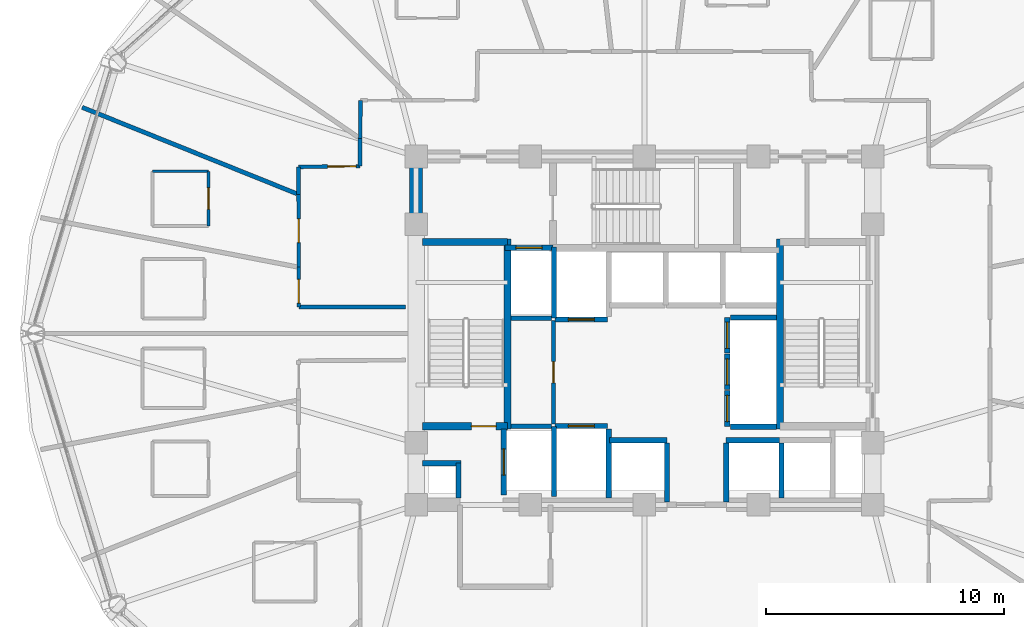
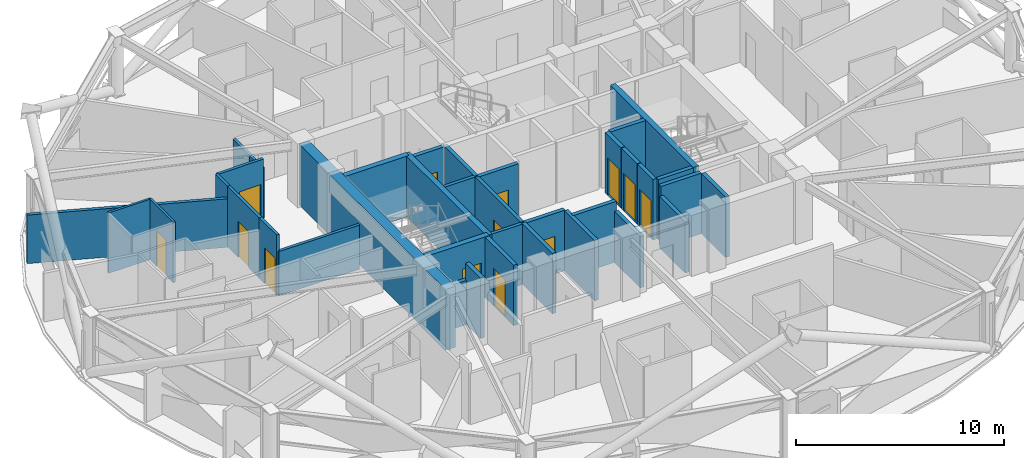
# One storey, part 25 of 32: 37 walls, 13 doors, 13 openings.
"""IFC4 building model written with IfcOpenShell, lengths in metres."""

from ifc_helpers import new_model, si_unit, direction, frame, frame_2d, origin, place, context, subcontext, project, spatial, rectangle, extrude, material, layer, layer_set, type_object, element, fill, save


model = new_model("IFC4")

# Units and contexts
model_context = context("Model", 3, precision=1e-05, world=origin(), true_north=direction((0.0, 1.0)))
body_context = subcontext(model_context, "Body", "Model", "MODEL_VIEW")
ifc_project = project(units=[si_unit("LENGTHUNIT", "METRE"), si_unit("AREAUNIT", "SQUARE_METRE"), si_unit("VOLUMEUNIT", "CUBIC_METRE"), si_unit("PLANEANGLEUNIT", "RADIAN"), si_unit("MASSUNIT", "GRAM", prefix="KILO")], contexts=[model_context])

# Site, building, storey
site_placement = place(None, origin())
site = spatial("IfcSite", under=ifc_project, at=site_placement, CompositionType="ELEMENT")
building_placement = place(site_placement, origin())
building = spatial("IfcBuilding", under=site, at=building_placement, Name="Vantalir Tower", CompositionType="ELEMENT")
storey_placement = place(building_placement, frame((0.0, 0.0, 104.699951171875)))
storey = spatial("IfcBuildingStorey", under=building, at=storey_placement, Name="L25", CompositionType="ELEMENT", Elevation=104.699951171875)

# Wall
ifc_material_1 = material(Name="Moisture-resistant en-suite partition", Category="gypsum")
ifc_layer_1 = layer(ifc_material_1, 0.125)
ifc_layer_set_1 = layer_set([ifc_layer_1], Name="Moisture-resistant en-suite partition")
wall_type_1 = type_object("IfcWallType", Name="WL-BATH-125", PredefinedType="PARTITIONING", material=ifc_layer_set_1)
wall_1_placement = place(storey_placement, frame((10.81396484375, 31.8291015625, 0.0), z_axis=(0.0, 0.0, 1.0), x_axis=(1.0, 0.0, 0.0)))
element("IfcWall", 1, at=wall_1_placement, inside=storey, type_object=wall_type_1, Name="L25 En-suite 09 North Wall", PredefinedType="PARTITIONING", context=body_context, shape_type="SweptSolid", body=[
    extrude(rectangle(XDim=2.35009765625, YDim=0.125, at=frame_2d((1.175048828125, 0.0))), origin(), (0.0, 0.0, 1.0), 3.550048828125),
])

# Wall, opening, door
wall_2_placement = place(storey_placement, frame((13.1640625, 29.529052734375, 0.0), z_axis=(0.0, 0.0, 1.0), x_axis=(0.0, 1.0, 0.0)))
wall_2 = element("IfcWall", 2, at=wall_2_placement, inside=storey, type_object=wall_type_1, Name="L25 En-suite 09 East Wall", PredefinedType="PARTITIONING", context=body_context, shape_type="SweptSolid", body=[
    extrude(rectangle(XDim=2.300048828125, YDim=0.125, at=frame_2d((1.14990234375, 0.0))), origin(), (0.0, 0.0, 1.0), 3.550048828125),
])
opening_1_placement = place(wall_2_placement, frame((0.699951171875, 0.0, 0.0)))
opening_1 = element("IfcOpeningElement", 3, at=opening_1_placement, cuts=wall_2, Name="Opening D-WC", PredefinedType="OPENING", context=body_context, shape_type="SweptSolid", body=[
    extrude(rectangle(XDim=0.89990234375, YDim=2.10009765625, at=frame_2d((0.449951171875, 1.050048828125))), frame((0.0, 0.072509765625, 0.0), z_axis=(0.0, -1.0, 0.0), x_axis=(1.0, 0.0, 0.0)), (0.0, 0.0, 1.0), 0.14501953125),
])
ifc_material_2 = material(Name="Moisture-resistant hardwood door", Category="wood")
door_type_1 = type_object("IfcDoorType", Name="DR-ENSUITE-900", OperationType="NOTDEFINED", PredefinedType="DOOR", material=ifc_material_2)
door_1_placement = place(opening_1_placement, origin())
door_1 = element("IfcDoor", 4, at=door_1_placement, inside=storey, type_object=door_type_1, Name="L25 En-suite 09 Door", OperationType="SINGLE_SWING_LEFT", OverallHeight=2.10009765625, OverallWidth=0.89990234375, PredefinedType="DOOR", context=body_context, shape_type="SweptSolid", body=[
    extrude(rectangle(XDim=0.89990234375, YDim=2.10009765625, at=frame_2d((0.449951171875, 1.050048828125))), frame((0.0, 0.02490234375, 0.0), z_axis=(0.0, -1.0, 0.0), x_axis=(1.0, 0.0, 0.0)), (0.0, 0.0, 1.0), 0.050048828125),
])
fill(opening_1, door_1)

# Walls
ifc_material_3 = material(Name="Concrete C60/75", Category="concrete")
ifc_layer_2 = layer(ifc_material_3, 0.550048828125)
ifc_layer_set_2 = layer_set([ifc_layer_2], Name="Concrete C60/75")
wall_type_2 = type_object("IfcWallType", Name="WL-CORE-550", PredefinedType="SHEAR", material=ifc_layer_set_2)
wall_3_placement = place(storey_placement, frame((21.89990234375, 18.074951171875, 0.0), z_axis=(0.0, 0.0, 1.0), x_axis=(0.0, 1.0, 0.0)))
element("IfcWall", 5, at=wall_3_placement, inside=storey, type_object=wall_type_2, Name="L25 Core Shear Wall West", PredefinedType="SHEAR", context=body_context, shape_type="SweptSolid", body=[
    extrude(rectangle(XDim=14.10009765625, YDim=0.550048828125, at=frame_2d((7.050048828125, 0.0))), origin(), (0.0, 0.0, 1.0), 3.570068359375),
])
ifc_material_4 = material(Name="Fire-rated hotel corridor acoustic partition", Category="gypsum")
ifc_layer_3 = layer(ifc_material_4, 0.159912109375)
ifc_layer_set_3 = layer_set([ifc_layer_3], Name="Fire-rated hotel corridor acoustic partition")
wall_type_3 = type_object("IfcWallType", Name="WL-CORR-160", PredefinedType="PARTITIONING", material=ifc_layer_set_3)
wall_4_placement = place(storey_placement, frame((21.445068359375, 26.114990234375, 0.0), z_axis=(0.0, 0.0, 1.0), x_axis=(-0.999997504977, 0.00223383991, 0.0)))
element("IfcWall", 6, at=wall_4_placement, inside=storey, type_object=wall_type_3, Name="L25 Corridor Partition 01", PredefinedType="PARTITIONING", context=body_context, shape_type="SweptSolid", body=[
    extrude(rectangle(XDim=4.48095703125, YDim=0.159912109375, at=frame_2d((2.240478515625, 0.0))), origin(), (0.0, 0.0, 1.0), 2.594970703125),
])

# Wall, opening, door
wall_5_placement = place(storey_placement, frame((16.964111328125, 26.125, 0.0), z_axis=(0.0, 0.0, 1.0), x_axis=(-0.001317329068, 0.999999132322, 0.0)))
wall_5 = element("IfcWall", 7, at=wall_5_placement, inside=storey, type_object=wall_type_3, Name="L25 Corridor Partition 02", PredefinedType="PARTITIONING", context=body_context, shape_type="SweptSolid", body=[
    extrude(rectangle(XDim=1.66796875, YDim=0.159912109375, at=frame_2d((0.833984375, 0.0))), origin(), (0.0, 0.0, 1.0), 3.550048828125),
])
opening_2_placement = place(wall_5_placement, frame((0.159912109375, 0.0, 0.0)))
opening_2 = element("IfcOpeningElement", 8, at=opening_2_placement, cuts=wall_5, Name="Opening D-GUEST", PredefinedType="OPENING", context=body_context, shape_type="SweptSolid", body=[
    extrude(rectangle(XDim=1.0, YDim=2.10009765625, at=frame_2d((0.5, 1.050048828125))), frame((0.0, 0.08984375, 0.0), z_axis=(0.0, -1.0, 0.0), x_axis=(1.0, 0.0, 0.0)), (0.0, 0.0, 1.0), 0.179931640625),
])
ifc_material_5 = material(Name="Solid-core teak veneer acoustic fire door", Category="wood")
door_type_2 = type_object("IfcDoorType", Name="DR-GUEST-ENTRY-1000", OperationType="NOTDEFINED", PredefinedType="DOOR", material=ifc_material_5)
door_2_placement = place(opening_2_placement, origin())
door_2 = element("IfcDoor", 9, at=door_2_placement, inside=storey, type_object=door_type_2, Name="L25 Deluxe King Hotel Room 10 Door", OperationType="SINGLE_SWING_RIGHT", OverallHeight=2.10009765625, OverallWidth=1.0, PredefinedType="DOOR", context=body_context, shape_type="SweptSolid", body=[
    extrude(rectangle(XDim=1.0, YDim=2.10009765625, at=frame_2d((0.5, 1.050048828125))), frame((0.0, 0.02490234375, 0.0), z_axis=(0.0, -1.0, 0.0), x_axis=(1.0, 0.0, 0.0)), (0.0, 0.0, 1.0), 0.050048828125),
])
fill(opening_2, door_2)

wall_6_placement = place(storey_placement, frame((16.9619140625, 27.79296875, 0.0), z_axis=(0.0, 0.0, 1.0), x_axis=(-0.001276934314, 0.999999184719, 0.0)))
wall_6 = element("IfcWall", 10, at=wall_6_placement, inside=storey, type_object=wall_type_3, Name="L25 Corridor Partition 03", PredefinedType="PARTITIONING", context=body_context, shape_type="SweptSolid", body=[
    extrude(rectangle(XDim=3.05908203125, YDim=0.159912109375, at=frame_2d((1.529541015625, 0.0))), origin(), (0.0, 0.0, 1.0), 3.550048828125),
])
opening_3_placement = place(wall_6_placement, frame((1.030029296875, 0.0, 0.0)))
opening_3 = element("IfcOpeningElement", 11, at=opening_3_placement, cuts=wall_6, Name="Opening D-GUEST", PredefinedType="OPENING", context=body_context, shape_type="SweptSolid", body=[
    extrude(rectangle(XDim=1.0, YDim=2.10009765625, at=frame_2d((0.5, 1.050048828125))), frame((0.0, 0.08984375, 0.0), z_axis=(0.0, -1.0, 0.0), x_axis=(1.0, 0.0, 0.0)), (0.0, 0.0, 1.0), 0.179931640625),
])
door_3_placement = place(opening_3_placement, origin())
door_3 = element("IfcDoor", 12, at=door_3_placement, inside=storey, type_object=door_type_2, Name="L25 Twin Queen Hotel Room 09 Door", OperationType="SINGLE_SWING_LEFT", OverallHeight=2.10009765625, OverallWidth=1.0, PredefinedType="DOOR", context=body_context, shape_type="SweptSolid", body=[
    extrude(rectangle(XDim=1.0, YDim=2.10009765625, at=frame_2d((0.5, 1.050048828125))), frame((0.0, 0.02490234375, 0.0), z_axis=(0.0, -1.0, 0.0), x_axis=(1.0, 0.0, 0.0)), (0.0, 0.0, 1.0), 0.050048828125),
])
fill(opening_3, door_3)

# Wall
wall_7_placement = place(storey_placement, frame((16.9580078125, 30.85205078125, 0.0), z_axis=(0.0, 0.0, 1.0), x_axis=(-0.000841927717, 0.999999645579, 0.0)))
element("IfcWall", 13, at=wall_7_placement, inside=storey, type_object=wall_type_3, Name="L25 Corridor Partition 04", PredefinedType="PARTITIONING", context=body_context, shape_type="SweptSolid", body=[
    extrude(rectangle(XDim=1.159912109375, YDim=0.159912109375, at=frame_2d((0.580078125, 0.0))), origin(), (0.0, 0.0, 1.0), 3.550048828125),
])

# Wall, opening, door
wall_8_placement = place(storey_placement, frame((16.95703125, 32.011962890625, 0.0), z_axis=(0.0, 0.0, 1.0), x_axis=(0.999940696344, 0.01089053699, 0.0)))
wall_8 = element("IfcWall", 14, at=wall_8_placement, inside=storey, type_object=wall_type_3, Name="L25 Corridor Partition 05", PredefinedType="PARTITIONING", context=body_context, shape_type="SweptSolid", body=[
    extrude(rectangle(XDim=2.578125, YDim=0.159912109375, at=frame_2d((1.2890625, 0.0))), origin(), (0.0, 0.0, 1.0), 3.550048828125),
])
opening_4_placement = place(wall_8_placement, frame((1.218017578125, 0.0, 0.0)))
opening_4 = element("IfcOpeningElement", 15, at=opening_4_placement, cuts=wall_8, Name="Opening D-STE", PredefinedType="OPENING", context=body_context, shape_type="SweptSolid", body=[
    extrude(rectangle(XDim=1.199951171875, YDim=2.10009765625, at=frame_2d((0.60009765625, 1.050048828125))), frame((0.0, 0.08984375, 0.0), z_axis=(0.0, -1.0, 0.0), x_axis=(1.0, 0.0, 0.0)), (0.0, 0.0, 1.0), 0.179931640625),
])
ifc_material_6 = material(Name="Solid-core teak veneer suite entrance door", Category="wood")
door_type_3 = type_object("IfcDoorType", Name="DR-SUITE-ENTRY-1200", OperationType="NOTDEFINED", PredefinedType="DOOR", material=ifc_material_6)
door_4_placement = place(opening_4_placement, origin())
door_4 = element("IfcDoor", 16, at=door_4_placement, inside=storey, type_object=door_type_3, Name="L25 Club Reading Lounge 08 Door", OperationType="SINGLE_SWING_RIGHT", OverallHeight=2.10009765625, OverallWidth=1.199951171875, PredefinedType="DOOR", context=body_context, shape_type="SweptSolid", body=[
    extrude(rectangle(XDim=1.199951171875, YDim=2.10009765625, at=frame_2d((0.60009765625, 1.050048828125))), frame((0.0, 0.02490234375, 0.0), z_axis=(0.0, -1.0, 0.0), x_axis=(1.0, 0.0, 0.0)), (0.0, 0.0, 1.0), 0.050048828125),
])
fill(opening_4, door_4)

# Walls
wall_9_placement = place(storey_placement, frame((19.534912109375, 32.0400390625, 0.0), z_axis=(0.0, 0.0, 1.0), x_axis=(0.0086149356, 0.999962890754, 0.0)))
element("IfcWall", 17, at=wall_9_placement, inside=storey, type_object=wall_type_3, Name="L25 Corridor Partition 06", PredefinedType="PARTITIONING", context=body_context, shape_type="SweptSolid", body=[
    extrude(rectangle(XDim=1.161865234375, YDim=0.159912109375, at=frame_2d((0.5810546875, 0.0))), origin(), (0.0, 0.0, 1.0), 3.006103515625),
])
wall_10_placement = place(storey_placement, frame((19.544921875, 33.201904296875, 0.0), z_axis=(0.0, 0.0, 1.0), x_axis=(0.009400646005, 0.999955812951, 0.0)))
element("IfcWall", 18, at=wall_10_placement, inside=storey, type_object=wall_type_3, Name="L25 Corridor Partition 07", PredefinedType="PARTITIONING", context=body_context, shape_type="SweptSolid", body=[
    extrude(rectangle(XDim=1.610107421875, YDim=0.159912109375, at=frame_2d((0.80517578125, 0.0))), origin(), (0.0, 0.0, 1.0), 3.006103515625),
])
ifc_material_7 = material(Name="Concrete blockwork with fireboard lining", Category="masonry")
ifc_layer_4 = layer(ifc_material_7, 0.219970703125)
ifc_layer_set_4 = layer_set([ifc_layer_4], Name="Concrete blockwork with fireboard lining")
wall_type_4 = type_object("IfcWallType", Name="WL-FFL-220", PredefinedType="PARTITIONING", material=ifc_layer_set_4)
wall_11_placement = place(storey_placement, frame((30.0, 18.080078125, 0.0), z_axis=(0.0, 0.0, 1.0), x_axis=(0.0, 1.0, 0.0)))
element("IfcWall", 19, at=wall_11_placement, inside=storey, type_object=wall_type_4, Name="L25 Service Lift SV1 East Shaft Wall", PredefinedType="PARTITIONING", context=body_context, shape_type="SweptSolid", body=[
    extrude(rectangle(XDim=2.89990234375, YDim=0.219970703125, at=frame_2d((1.449951171875, 0.0))), origin(), (0.0, 0.0, 1.0), 3.545166015625),
])
for number, where, z_axis, x_axis, name in (
    (20, (32.449951171875, 17.919921875, 0.0), (0.0, 0.0, 1.0), (0.0, 1.0, 0.0), "L25 Shuttle Lift PL-X1 East Shaft Cheek"),
    (21, (34.949951171875, 17.919921875, 0.0), (0.0, 0.0, 1.0), (0.0, 1.0, 0.0), "L25 Shuttle Lift PL-X3 West Shaft Cheek"),
):
    element("IfcWall", number, at=place(storey_placement, frame(where, z_axis=z_axis, x_axis=x_axis)), inside=storey, type_object=wall_type_4, Name=name, PredefinedType="PARTITIONING", context=body_context, shape_type="SweptSolid", body=[
        extrude(rectangle(XDim=2.469970703125, YDim=0.219970703125, at=frame_2d((1.23486328125, 0.0))), origin(), (0.0, 0.0, 1.0), 3.006103515625),
    ])
wall_12_placement = place(storey_placement, frame((37.27490234375, 18.080078125, 0.0), z_axis=(0.0, 0.0, 1.0), x_axis=(0.0, 1.0, 0.0)))
element("IfcWall", 22, at=wall_12_placement, inside=storey, type_object=wall_type_4, Name="L25 Shuttle Lift PL-X2/X3 Shaft Divider", PredefinedType="PARTITIONING", context=body_context, shape_type="SweptSolid", body=[
    extrude(rectangle(XDim=2.309814453125, YDim=0.219970703125, at=frame_2d((1.15478515625, 0.0))), origin(), (0.0, 0.0, 1.0), 3.545166015625),
])
wall_13_placement = place(storey_placement, frame((23.679931640625, 18.074951171875, 0.0), z_axis=(0.0, 0.0, 1.0), x_axis=(0.0, 1.0, 0.0)))
element("IfcWall", 23, at=wall_13_placement, inside=storey, type_object=wall_type_4, Name="L25 West MEP Riser Wall E", PredefinedType="PARTITIONING", context=body_context, shape_type="SweptSolid", body=[
    extrude(rectangle(XDim=1.47509765625, YDim=0.219970703125, at=frame_2d((0.737548828125, 0.0))), origin(), (0.0, 0.0, 1.0), 3.550048828125),
])
wall_14_placement = place(storey_placement, frame((22.175048828125, 19.550048828125, 0.0), z_axis=(0.0, 0.0, 1.0), x_axis=(1.0, 0.0, 0.0)))
element("IfcWall", 24, at=wall_14_placement, inside=storey, type_object=wall_type_4, Name="L25 West MEP Riser Wall N", PredefinedType="PARTITIONING", context=body_context, shape_type="SweptSolid", body=[
    extrude(rectangle(XDim=1.614990234375, YDim=0.219970703125, at=frame_2d((0.8076171875, 0.0))), origin(), (0.0, 0.0, 1.0), 2.594970703125),
])

# Wall, opening, door
wall_15_placement = place(storey_placement, frame((25.590087890625, 18.219970703125, 0.0), z_axis=(0.0, 0.0, 1.0), x_axis=(0.0, 1.0, 0.0)))
wall_15 = element("IfcWall", 25, at=wall_15_placement, inside=storey, type_object=wall_type_4, Name="L25 Lift FL1 Shaft Front Wall", PredefinedType="PARTITIONING", context=body_context, shape_type="SweptSolid", body=[
    extrude(rectangle(XDim=2.760009765625, YDim=0.219970703125, at=frame_2d((1.3798828125, 0.0))), origin(), (0.0, 0.0, 1.0), 3.550048828125),
])
opening_5_placement = place(wall_15_placement, frame((0.830078125, 0.0, 0.0)))
opening_5 = element("IfcOpeningElement", 26, at=opening_5_placement, cuts=wall_15, Name="Opening LD-FL1", PredefinedType="OPENING", context=body_context, shape_type="SweptSolid", body=[
    extrude(rectangle(XDim=1.10009765625, YDim=2.199951171875, at=frame_2d((0.550048828125, 1.10009765625))), frame((0.0, 0.119873046875, 0.0), z_axis=(0.0, -1.0, 0.0), x_axis=(1.0, 0.0, 0.0)), (0.0, 0.0, 1.0), 0.239990234375),
])
ifc_material_8 = material(Name="Brushed stainless-steel sliding lift landing door", Category="steel")
door_type_4 = type_object("IfcDoorType", Name="DR-LIFT-LANDING-1100", OperationType="DOUBLE_DOOR_SLIDING", PredefinedType="DOOR", material=ifc_material_8)
door_5_placement = place(opening_5_placement, origin())
door_5 = element("IfcDoor", 27, at=door_5_placement, inside=storey, type_object=door_type_4, Name="L25 Lift Landing Door FL1", OperationType="DOUBLE_DOOR_SLIDING", OverallHeight=2.199951171875, OverallWidth=1.10009765625, PredefinedType="DOOR", context=body_context, shape_type="SweptSolid", body=[
    extrude(rectangle(XDim=1.10009765625, YDim=2.199951171875, at=frame_2d((0.550048828125, 1.10009765625))), frame((0.0, 0.02490234375, 0.0), z_axis=(0.0, -1.0, 0.0), x_axis=(1.0, 0.0, 0.0)), (0.0, 0.0, 1.0), 0.050048828125),
])
fill(opening_5, door_5)

wall_16_placement = place(storey_placement, frame((25.639892578125, 28.610107421875, 0.0), z_axis=(0.0, 0.0, 1.0), x_axis=(1.0, 0.0, 0.0)))
wall_16 = element("IfcWall", 28, at=wall_16_placement, inside=storey, type_object=wall_type_4, Name="L25 Lift FL2 Shaft Front Wall", PredefinedType="PARTITIONING", context=body_context, shape_type="SweptSolid", body=[
    extrude(rectangle(XDim=2.02001953125, YDim=0.219970703125, at=frame_2d((1.010009765625, 0.0))), origin(), (0.0, 0.0, 1.0), 3.550048828125),
])
opening_6_placement = place(wall_16_placement, frame((0.4599609375, 0.0, 0.0)))
opening_6 = element("IfcOpeningElement", 29, at=opening_6_placement, cuts=wall_16, Name="Opening LD-FL2", PredefinedType="OPENING", context=body_context, shape_type="SweptSolid", body=[
    extrude(rectangle(XDim=1.10009765625, YDim=2.199951171875, at=frame_2d((0.550048828125, 1.10009765625))), frame((0.0, 0.119873046875, 0.0), z_axis=(0.0, -1.0, 0.0), x_axis=(1.0, 0.0, 0.0)), (0.0, 0.0, 1.0), 0.239990234375),
])
door_6_placement = place(opening_6_placement, origin())
door_6 = element("IfcDoor", 30, at=door_6_placement, inside=storey, type_object=door_type_4, Name="L25 Lift Landing Door FL2", OperationType="DOUBLE_DOOR_SLIDING", OverallHeight=2.199951171875, OverallWidth=1.10009765625, PredefinedType="DOOR", context=body_context, shape_type="SweptSolid", body=[
    extrude(rectangle(XDim=1.10009765625, YDim=2.199951171875, at=frame_2d((0.550048828125, 1.10009765625))), frame((0.0, 0.02490234375, 0.0), z_axis=(0.0, -1.0, 0.0), x_axis=(1.0, 0.0, 0.0)), (0.0, 0.0, 1.0), 0.050048828125),
])
fill(opening_6, door_6)

wall_17_placement = place(storey_placement, frame((27.739990234375, 21.110107421875, 0.0), z_axis=(0.0, 0.0, 1.0), x_axis=(1.0, 0.0, 0.0)))
wall_17 = element("IfcWall", 31, at=wall_17_placement, inside=storey, type_object=wall_type_4, Name="L25 Lift SV1 Shaft Front Wall", PredefinedType="PARTITIONING", context=body_context, shape_type="SweptSolid", body=[
    extrude(rectangle(XDim=2.219970703125, YDim=0.219970703125, at=frame_2d((1.10986328125, 0.0))), origin(), (0.0, 0.0, 1.0), 3.550048828125),
])
opening_7_placement = place(wall_17_placement, frame((0.56005859375, 0.0, 0.0)))
opening_7 = element("IfcOpeningElement", 32, at=opening_7_placement, cuts=wall_17, Name="Opening LD-SV1", PredefinedType="OPENING", context=body_context, shape_type="SweptSolid", body=[
    extrude(rectangle(XDim=1.10009765625, YDim=2.199951171875, at=frame_2d((0.550048828125, 1.10009765625))), frame((0.0, 0.119873046875, 0.0), z_axis=(0.0, -1.0, 0.0), x_axis=(1.0, 0.0, 0.0)), (0.0, 0.0, 1.0), 0.239990234375),
])
door_7_placement = place(opening_7_placement, origin())
door_7 = element("IfcDoor", 33, at=door_7_placement, inside=storey, type_object=door_type_4, Name="L25 Lift Landing Door SV1", OperationType="DOUBLE_DOOR_SLIDING", OverallHeight=2.199951171875, OverallWidth=1.10009765625, PredefinedType="DOOR", context=body_context, shape_type="SweptSolid", body=[
    extrude(rectangle(XDim=1.10009765625, YDim=2.199951171875, at=frame_2d((0.550048828125, 1.10009765625))), frame((0.0, 0.02490234375, 0.0), z_axis=(0.0, -1.0, 0.0), x_axis=(1.0, 0.0, 0.0)), (0.0, 0.0, 1.0), 0.050048828125),
])
fill(opening_7, door_7)

wall_18_placement = place(storey_placement, frame((27.739990234375, 25.590087890625, 0.0), z_axis=(0.0, 0.0, 1.0), x_axis=(1.0, 0.0, 0.0)))
wall_18 = element("IfcWall", 34, at=wall_18_placement, inside=storey, type_object=wall_type_4, Name="L25 Lift SV2 Shaft Front Wall", PredefinedType="PARTITIONING", context=body_context, shape_type="SweptSolid", body=[
    extrude(rectangle(XDim=2.219970703125, YDim=0.219970703125, at=frame_2d((1.10986328125, 0.0))), origin(), (0.0, 0.0, 1.0), 3.550048828125),
])
opening_8_placement = place(wall_18_placement, frame((0.56005859375, 0.0, 0.0)))
opening_8 = element("IfcOpeningElement", 35, at=opening_8_placement, cuts=wall_18, Name="Opening LD-SV2", PredefinedType="OPENING", context=body_context, shape_type="SweptSolid", body=[
    extrude(rectangle(XDim=1.10009765625, YDim=2.199951171875, at=frame_2d((0.550048828125, 1.10009765625))), frame((0.0, 0.119873046875, 0.0), z_axis=(0.0, -1.0, 0.0), x_axis=(1.0, 0.0, 0.0)), (0.0, 0.0, 1.0), 0.239990234375),
])
door_8_placement = place(opening_8_placement, frame((1.10009765625, 0.0, 0.0), z_axis=(0.0, 0.0, 1.0), x_axis=(-1.0, 0.0, 0.0)))
door_8 = element("IfcDoor", 36, at=door_8_placement, inside=storey, type_object=door_type_4, Name="L25 Lift Landing Door SV2", OperationType="DOUBLE_DOOR_SLIDING", OverallHeight=2.199951171875, OverallWidth=1.10009765625, PredefinedType="DOOR", context=body_context, shape_type="SweptSolid", body=[
    extrude(rectangle(XDim=1.10009765625, YDim=2.199951171875, at=frame_2d((0.550048828125, 1.10009765625))), frame((0.0, 0.02490234375, 0.0), z_axis=(0.0, -1.0, 0.0), x_axis=(1.0, 0.0, 0.0)), (0.0, 0.0, 1.0), 0.050048828125),
])
fill(opening_8, door_8)

# Walls
wall_19_placement = place(storey_placement, frame((30.0400390625, 20.510009765625, 0.0), z_axis=(0.0, 0.0, 1.0), x_axis=(1.0, 0.0, 0.0)))
element("IfcWall", 37, at=wall_19_placement, inside=storey, type_object=wall_type_4, Name="L25 Lift PL-X1 Shaft Front Wall", PredefinedType="PARTITIONING", context=body_context, shape_type="SweptSolid", body=[
    extrude(rectangle(XDim=2.419921875, YDim=0.219970703125, at=frame_2d((1.2099609375, 0.0))), origin(), (0.0, 0.0, 1.0), 3.550048828125),
])
wall_20_placement = place(storey_placement, frame((34.93994140625, 20.510009765625, 0.0), z_axis=(0.0, 0.0, 1.0), x_axis=(1.0, 0.0, 0.0)))
element("IfcWall", 38, at=wall_20_placement, inside=storey, type_object=wall_type_4, Name="L25 Lift PL-X3 Shaft Front Wall", PredefinedType="PARTITIONING", context=body_context, shape_type="SweptSolid", body=[
    extrude(rectangle(XDim=2.239990234375, YDim=0.219970703125, at=frame_2d((1.1201171875, 0.0))), origin(), (0.0, 0.0, 1.0), 3.550048828125),
])

# Wall, opening, door
wall_21_placement = place(storey_placement, frame((34.989990234375, 21.10009765625, 0.0), z_axis=(0.0, 0.0, 1.0), x_axis=(0.0, 1.0, 0.0)))
wall_21 = element("IfcWall", 39, at=wall_21_placement, inside=storey, type_object=wall_type_4, Name="L25 Lift PL-M1 Shaft Front Wall", PredefinedType="PARTITIONING", context=body_context, shape_type="SweptSolid", body=[
    extrude(rectangle(XDim=1.5, YDim=0.219970703125, at=frame_2d((0.75, 0.0))), origin(), (0.0, 0.0, 1.0), 3.550048828125),
])
opening_9_placement = place(wall_21_placement, frame((0.199951171875, 0.0, 0.0)))
opening_9 = element("IfcOpeningElement", 40, at=opening_9_placement, cuts=wall_21, Name="Opening LD-PL-M1", PredefinedType="OPENING", context=body_context, shape_type="SweptSolid", body=[
    extrude(rectangle(XDim=1.10009765625, YDim=2.199951171875, at=frame_2d((0.550048828125, 1.10009765625))), frame((0.0, 0.119873046875, 0.0), z_axis=(0.0, -1.0, 0.0), x_axis=(1.0, 0.0, 0.0)), (0.0, 0.0, 1.0), 0.239990234375),
])
door_9_placement = place(opening_9_placement, origin())
door_9 = element("IfcDoor", 41, at=door_9_placement, inside=storey, type_object=door_type_4, Name="L25 Lift Landing Door PL-M1", OperationType="DOUBLE_DOOR_SLIDING", OverallHeight=2.199951171875, OverallWidth=1.10009765625, PredefinedType="DOOR", context=body_context, shape_type="SweptSolid", body=[
    extrude(rectangle(XDim=1.10009765625, YDim=2.199951171875, at=frame_2d((0.550048828125, 1.10009765625))), frame((0.0, 0.02490234375, 0.0), z_axis=(0.0, -1.0, 0.0), x_axis=(1.0, 0.0, 0.0)), (0.0, 0.0, 1.0), 0.050048828125),
])
fill(opening_9, door_9)

wall_22_placement = place(storey_placement, frame((34.989990234375, 22.639892578125, 0.0), z_axis=(0.0, 0.0, 1.0), x_axis=(0.0, 1.0, 0.0)))
wall_22 = element("IfcWall", 42, at=wall_22_placement, inside=storey, type_object=wall_type_4, Name="L25 Lift PL-M2 Shaft Front Wall", PredefinedType="PARTITIONING", context=body_context, shape_type="SweptSolid", body=[
    extrude(rectangle(XDim=1.5, YDim=0.219970703125, at=frame_2d((0.75, 0.0))), origin(), (0.0, 0.0, 1.0), 3.550048828125),
])
opening_10_placement = place(wall_22_placement, frame((0.199951171875, 0.0, 0.0)))
opening_10 = element("IfcOpeningElement", 43, at=opening_10_placement, cuts=wall_22, Name="Opening LD-PL-M2", PredefinedType="OPENING", context=body_context, shape_type="SweptSolid", body=[
    extrude(rectangle(XDim=1.10009765625, YDim=2.199951171875, at=frame_2d((0.550048828125, 1.10009765625))), frame((0.0, 0.119873046875, 0.0), z_axis=(0.0, -1.0, 0.0), x_axis=(1.0, 0.0, 0.0)), (0.0, 0.0, 1.0), 0.239990234375),
])
door_10_placement = place(opening_10_placement, origin())
door_10 = element("IfcDoor", 44, at=door_10_placement, inside=storey, type_object=door_type_4, Name="L25 Lift Landing Door PL-M2", OperationType="DOUBLE_DOOR_SLIDING", OverallHeight=2.199951171875, OverallWidth=1.10009765625, PredefinedType="DOOR", context=body_context, shape_type="SweptSolid", body=[
    extrude(rectangle(XDim=1.10009765625, YDim=2.199951171875, at=frame_2d((0.550048828125, 1.10009765625))), frame((0.0, 0.02490234375, 0.0), z_axis=(0.0, -1.0, 0.0), x_axis=(1.0, 0.0, 0.0)), (0.0, 0.0, 1.0), 0.050048828125),
])
fill(opening_10, door_10)

wall_23_placement = place(storey_placement, frame((34.989990234375, 24.179931640625, 0.0), z_axis=(0.0, 0.0, 1.0), x_axis=(0.0, 1.0, 0.0)))
wall_23 = element("IfcWall", 45, at=wall_23_placement, inside=storey, type_object=wall_type_4, Name="L25 Lift PL-M3 Shaft Front Wall", PredefinedType="PARTITIONING", context=body_context, shape_type="SweptSolid", body=[
    extrude(rectangle(XDim=1.5, YDim=0.219970703125, at=frame_2d((0.75, 0.0))), origin(), (0.0, 0.0, 1.0), 3.550048828125),
])
opening_11_placement = place(wall_23_placement, frame((0.199951171875, 0.0, 0.0)))
opening_11 = element("IfcOpeningElement", 46, at=opening_11_placement, cuts=wall_23, Name="Opening LD-PL-M3", PredefinedType="OPENING", context=body_context, shape_type="SweptSolid", body=[
    extrude(rectangle(XDim=1.10009765625, YDim=2.199951171875, at=frame_2d((0.550048828125, 1.10009765625))), frame((0.0, 0.119873046875, 0.0), z_axis=(0.0, -1.0, 0.0), x_axis=(1.0, 0.0, 0.0)), (0.0, 0.0, 1.0), 0.239990234375),
])
door_11_placement = place(opening_11_placement, origin())
door_11 = element("IfcDoor", 47, at=door_11_placement, inside=storey, type_object=door_type_4, Name="L25 Lift Landing Door PL-M3", OperationType="DOUBLE_DOOR_SLIDING", OverallHeight=2.199951171875, OverallWidth=1.10009765625, PredefinedType="DOOR", context=body_context, shape_type="SweptSolid", body=[
    extrude(rectangle(XDim=1.10009765625, YDim=2.199951171875, at=frame_2d((0.550048828125, 1.10009765625))), frame((0.0, 0.02490234375, 0.0), z_axis=(0.0, -1.0, 0.0), x_axis=(1.0, 0.0, 0.0)), (0.0, 0.0, 1.0), 0.050048828125),
])
fill(opening_11, door_11)

# Walls
wall_24_placement = place(storey_placement, frame((27.699951171875, 18.14990234375, 0.0), z_axis=(0.0, 0.0, 1.0), x_axis=(0.0, 1.0, 0.0)))
element("IfcWall", 48, at=wall_24_placement, inside=storey, type_object=wall_type_4, Name="L25 Fire Lift FL1 Dividing Wall", PredefinedType="PARTITIONING", context=body_context, shape_type="SweptSolid", body=[
    extrude(rectangle(XDim=2.9501953125, YDim=0.219970703125, at=frame_2d((1.47509765625, 0.0))), origin(), (0.0, 0.0, 1.0), 3.550048828125),
])
wall_25_placement = place(storey_placement, frame((27.699951171875, 25.64990234375, 0.0), z_axis=(0.0, 0.0, 1.0), x_axis=(0.0, 1.0, 0.0)))
element("IfcWall", 49, at=wall_25_placement, inside=storey, type_object=wall_type_4, Name="L25 Fire Lift FL2 Dividing Wall", PredefinedType="PARTITIONING", context=body_context, shape_type="SweptSolid", body=[
    extrude(rectangle(XDim=3.0, YDim=0.219970703125, at=frame_2d((1.5, 0.0))), origin(), (0.0, 0.0, 1.0), 3.550048828125),
])
for number, where, z_axis, x_axis, name in (
    (50, (35.1201171875, 21.080078125, 0.0), (0.0, 0.0, 1.0), (1.0, 0.0, 0.0), "L25 Mid-Rise Bank South Wall"),
    (51, (35.1201171875, 25.679931640625, 0.0), (0.0, 0.0, 1.0), (1.0, 0.0, 0.0), "L25 Mid-Rise Bank North Wall"),
):
    element("IfcWall", number, at=place(storey_placement, frame(where, z_axis=z_axis, x_axis=x_axis)), inside=storey, type_object=wall_type_4, Name=name, PredefinedType="PARTITIONING", context=body_context, shape_type="SweptSolid", body=[
        extrude(rectangle(XDim=1.93994140625, YDim=0.219970703125, at=frame_2d((0.969970703125, 0.0))), origin(), (0.0, 0.0, 1.0), 3.550048828125),
    ])
ifc_material_9 = material(Name="Twin-stud acoustic fire-rated gypsum partition", Category="gypsum")
ifc_layer_5 = layer(ifc_material_9, 0.179931640625)
ifc_layer_set_5 = layer_set([ifc_layer_5], Name="Twin-stud acoustic fire-rated gypsum partition")
wall_type_5 = type_object("IfcWallType", Name="WL-GUEST-180", PredefinedType="PARTITIONING", material=ifc_layer_set_5)
for number, where, z_axis, x_axis, name in (
    (52, (25.889892578125, 21.10009765625, 0.0), (0.0, 0.0, 1.0), (1.0, 0.0, 0.0), "L25 Freed West Core South Wall"),
    (53, (25.889892578125, 25.64990234375, 0.0), (0.0, 0.0, 1.0), (1.0, 0.0, 0.0), "L25 Freed West Core North Wall"),
):
    element("IfcWall", number, at=place(storey_placement, frame(where, z_axis=z_axis, x_axis=x_axis)), inside=storey, type_object=wall_type_5, Name=name, PredefinedType="PARTITIONING", context=body_context, shape_type="SweptSolid", body=[
        extrude(rectangle(XDim=1.7001953125, YDim=0.179931640625, at=frame_2d((0.85009765625, 0.0))), origin(), (0.0, 0.0, 1.0), 3.550048828125),
    ])

# Wall, opening, door
wall_26_placement = place(storey_placement, frame((27.679931640625, 21.18994140625, 0.0), z_axis=(0.0, 0.0, 1.0), x_axis=(0.0, 1.0, 0.0)))
wall_26 = element("IfcWall", 54, at=wall_26_placement, inside=storey, type_object=wall_type_5, Name="L25 West Pantry East Wall", PredefinedType="PARTITIONING", context=body_context, shape_type="SweptSolid", body=[
    extrude(rectangle(XDim=4.3701171875, YDim=0.179931640625, at=frame_2d((2.18505859375, 0.0))), origin(), (0.0, 0.0, 1.0), 3.550048828125),
])
opening_12_placement = place(wall_26_placement, frame((1.735107421875, 0.0, 0.0)))
opening_12 = element("IfcOpeningElement", 55, at=opening_12_placement, cuts=wall_26, Name="Opening D-CR", PredefinedType="OPENING", context=body_context, shape_type="SweptSolid", body=[
    extrude(rectangle(XDim=0.89990234375, YDim=2.10009765625, at=frame_2d((0.449951171875, 1.050048828125))), frame((0.0, 0.099853515625, 0.0), z_axis=(0.0, -1.0, 0.0), x_axis=(1.0, 0.0, 0.0)), (0.0, 0.0, 1.0), 0.199951171875),
])
ifc_material_10 = material(Name="Fire-rated steel core service door", Category="steel")
door_type_5 = type_object("IfcDoorType", Name="DR-CORE-SERV-900", OperationType="NOTDEFINED", PredefinedType="DOOR", material=ifc_material_10)
door_12_placement = place(opening_12_placement, origin())
door_12 = element("IfcDoor", 56, at=door_12_placement, inside=storey, type_object=door_type_5, Name="L25 Core Pantry Door", OperationType="SINGLE_SWING_LEFT", OverallHeight=2.10009765625, OverallWidth=0.89990234375, PredefinedType="DOOR", context=body_context, shape_type="SweptSolid", body=[
    extrude(rectangle(XDim=0.89990234375, YDim=2.10009765625, at=frame_2d((0.449951171875, 1.050048828125))), frame((0.0, 0.02490234375, 0.0), z_axis=(0.0, -1.0, 0.0), x_axis=(1.0, 0.0, 0.0)), (0.0, 0.0, 1.0), 0.050048828125),
])
fill(opening_12, door_12)

# Wall
wall_27_placement = place(storey_placement, frame((16.8798828125, 30.884033203125, 0.0), z_axis=(0.0, 0.0, 1.0), x_axis=(-0.927683813389, 0.373366766567, 0.0)))
element("IfcWall", 57, at=wall_27_placement, inside=storey, type_object=wall_type_5, Name="L25 Radial Suite Partition 09", PredefinedType="PARTITIONING", context=body_context, shape_type="SweptSolid", body=[
    extrude(rectangle(XDim=9.73046875, YDim=0.179931640625, at=frame_2d((4.865234375, 0.0))), origin(), (0.0, 0.0, 1.0), 2.85107421875),
])

# Wall, opening, door
ifc_material_11 = material(Name="Concrete C50/60", Category="concrete")
ifc_layer_6 = layer(ifc_material_11, 0.300048828125)
ifc_layer_set_6 = layer_set([ifc_layer_6], Name="Concrete C50/60")
wall_type_6 = type_object("IfcWallType", Name="WL-STAIR-300", PredefinedType="SHEAR", material=ifc_layer_set_6)
wall_28_placement = place(storey_placement, frame((22.175048828125, 21.10009765625, 0.0), z_axis=(0.0, 0.0, 1.0), x_axis=(1.0, 0.0, 0.0)))
wall_28 = element("IfcWall", 58, at=wall_28_placement, inside=storey, type_object=wall_type_6, Name="L25 Stair ST1 South Wall", PredefinedType="SHEAR", context=body_context, shape_type="SweptSolid", body=[
    extrude(rectangle(XDim=3.56494140625, YDim=0.300048828125, at=frame_2d((1.782470703125, 0.0))), origin(), (0.0, 0.0, 1.0), 3.570068359375),
])
opening_13_placement = place(wall_28_placement, frame((2.044921875, 0.0, 0.0)))
opening_13 = element("IfcOpeningElement", 59, at=opening_13_placement, cuts=wall_28, Name="Opening D-ST", PredefinedType="OPENING", context=body_context, shape_type="SweptSolid", body=[
    extrude(rectangle(XDim=1.050048828125, YDim=2.10009765625, at=frame_2d((0.52490234375, 1.050048828125))), frame((0.0, 0.159912109375, 0.0), z_axis=(0.0, -1.0, 0.0), x_axis=(1.0, 0.0, 0.0)), (0.0, 0.0, 1.0), 0.320068359375),
])
ifc_material_12 = material(Name="Fire-rated steel door leaf", Category="steel")
door_type_6 = type_object("IfcDoorType", Name="DR-FIRE-STAIR-1050", OperationType="NOTDEFINED", PredefinedType="DOOR", material=ifc_material_12)
door_13_placement = place(opening_13_placement, origin())
door_13 = element("IfcDoor", 60, at=door_13_placement, inside=storey, type_object=door_type_6, Name="L25 Exit Stair ST1 Fire Door", OperationType="SINGLE_SWING_RIGHT", OverallHeight=2.10009765625, OverallWidth=1.050048828125, PredefinedType="DOOR", context=body_context, shape_type="SweptSolid", body=[
    extrude(rectangle(XDim=1.050048828125, YDim=2.10009765625, at=frame_2d((0.52490234375, 1.050048828125))), frame((0.0, 0.02490234375, 0.0), z_axis=(0.0, -1.0, 0.0), x_axis=(1.0, 0.0, 0.0)), (0.0, 0.0, 1.0), 0.050048828125),
])
fill(opening_13, door_13)

# Walls
wall_29_placement = place(storey_placement, frame((22.175048828125, 28.85009765625, 0.0), z_axis=(0.0, 0.0, 1.0), x_axis=(1.0, 0.0, 0.0)))
element("IfcWall", 61, at=wall_29_placement, inside=storey, type_object=wall_type_6, Name="L25 Stair ST1 North Wall", PredefinedType="SHEAR", context=body_context, shape_type="SweptSolid", body=[
    extrude(rectangle(XDim=3.56494140625, YDim=0.300048828125, at=frame_2d((1.782470703125, 0.0))), origin(), (0.0, 0.0, 1.0), 3.570068359375),
])
for number, where, z_axis, x_axis, name in (
    (62, (25.739990234375, 20.97998046875, 0.0), (0.0, 0.0, 1.0), (0.0, 1.0, 0.0), "L25 Stair ST1 East Wall"),
    (63, (37.2099609375, 20.97998046875, 0.0), (0.0, 0.0, 1.0), (0.0, 1.0, 0.0), "L25 Stair ST2 West Wall"),
):
    element("IfcWall", number, at=place(storey_placement, frame(where, z_axis=z_axis, x_axis=x_axis)), inside=storey, type_object=wall_type_6, Name=name, PredefinedType="SHEAR", context=body_context, shape_type="SweptSolid", body=[
        extrude(rectangle(XDim=7.989990234375, YDim=0.300048828125, at=frame_2d((3.9951171875, 0.0))), origin(), (0.0, 0.0, 1.0), 3.570068359375),
    ])

save(model, "model.ifc")
